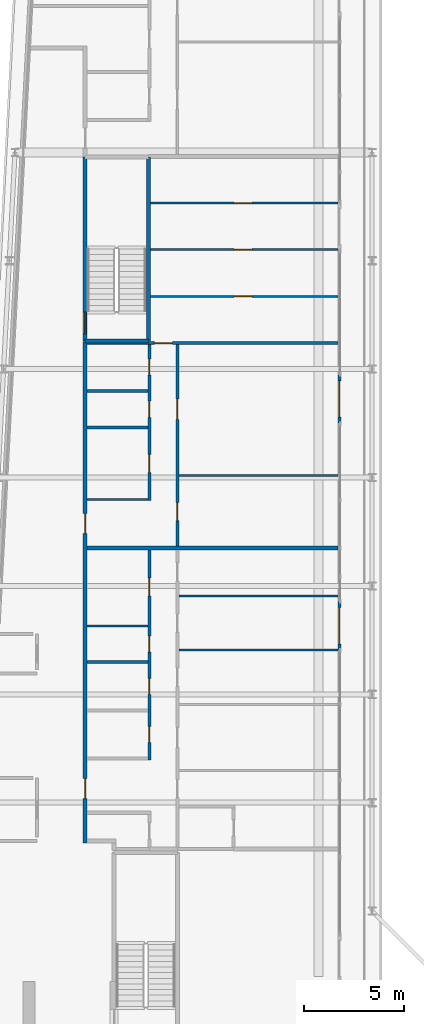
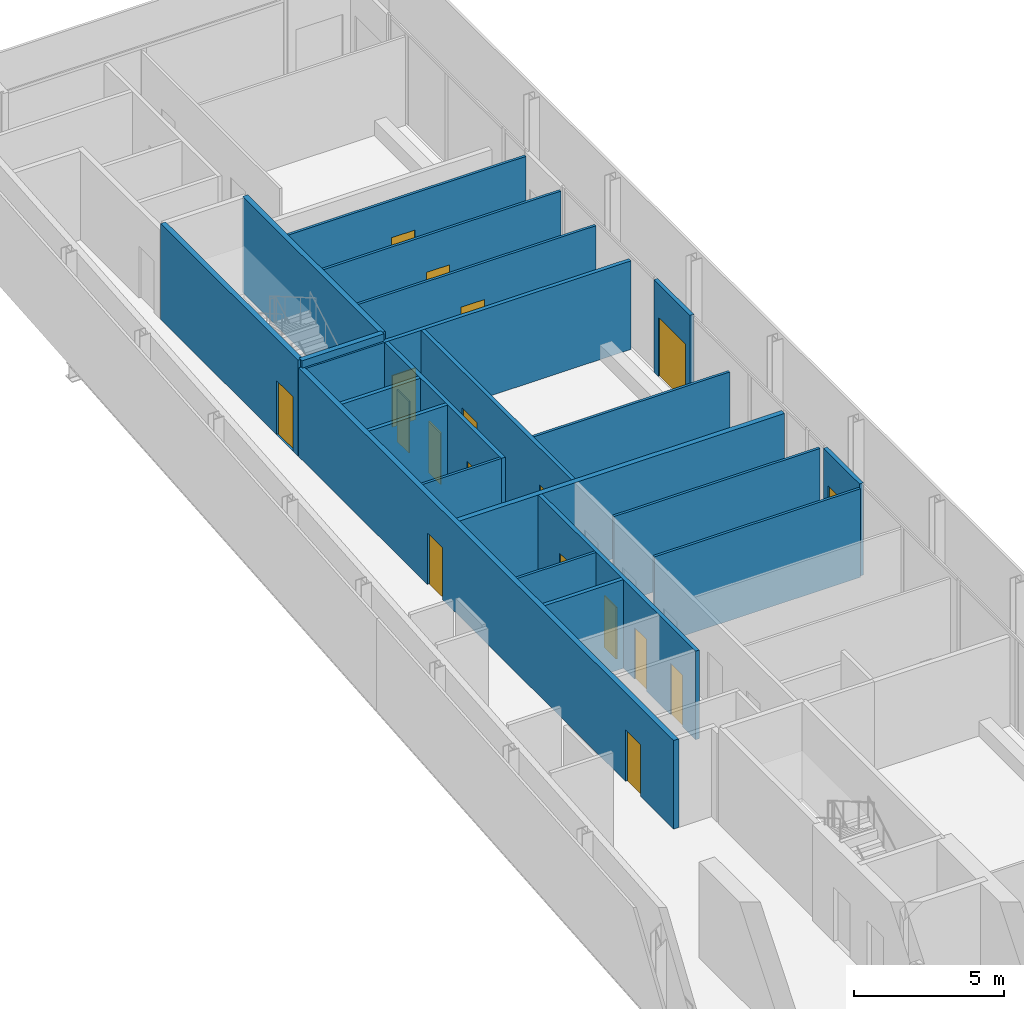
# One storey, part 14 of 21: 22 walls, 18 doors, 18 openings.
"""IFC4 building model written with IfcOpenShell, lengths in metres."""

from ifc_helpers import new_model, si_unit, direction, frame, frame_2d, origin, place, context, subcontext, project, spatial, rectangle, extrude, source, transform, mapped, material, layer, layer_set, type_object, element, fill, save


model = new_model("IFC4")

# Units and contexts
model_context = context("Model", 3, precision=1e-05, world=origin(), true_north=direction((0.0, 1.0)))
body_context = subcontext(model_context, "Body", "Model", "MODEL_VIEW")
ifc_project = project(units=[si_unit("LENGTHUNIT", "METRE"), si_unit("AREAUNIT", "SQUARE_METRE"), si_unit("VOLUMEUNIT", "CUBIC_METRE"), si_unit("PLANEANGLEUNIT", "RADIAN"), si_unit("MASSUNIT", "GRAM", prefix="KILO")], contexts=[model_context])

# Site, building, storey
site_placement = place(None, origin())
site = spatial("IfcSite", under=ifc_project, at=site_placement, CompositionType="ELEMENT")
building_placement = place(site_placement, origin())
building = spatial("IfcBuilding", under=site, at=building_placement, Name="Kheshtan School and Residences Tower", CompositionType="ELEMENT")
storey_placement = place(building_placement, frame((0.0, 0.0, 313.699951171875)))
storey = spatial("IfcBuildingStorey", under=building, at=storey_placement, Name="L74", CompositionType="ELEMENT", Elevation=313.699951171875)

# Wall, openings, doors
ifc_material_1 = material(Name="Gypsum board on steel studs with fire boards", Category="steel")
ifc_layer_1 = layer(ifc_material_1, 0.199951171875)
ifc_layer_set_1 = layer_set([ifc_layer_1], Name="Corridor wall 200")
wall_type_1 = type_object("IfcWallType", Name="Corridor wall 200", PredefinedType="PARTITIONING", material=ifc_layer_set_1)
wall_1_placement = place(storey_placement, frame((33.300048828125, 54.39990234375, 0.0), z_axis=(0.0, 0.0, 1.0), x_axis=(0.0, 1.0, 0.0)))
wall_1 = element("IfcWall", 1, at=wall_1_placement, inside=storey, type_object=wall_type_1, Name="Partition L74-003", PredefinedType="PARTITIONING", context=body_context, shape_type="SweptSolid", body=[
    extrude(rectangle(XDim=24.97509765625, YDim=0.199951171875, at=frame_2d((12.487548828125, 0.0))), origin(), (0.0, 0.0, 1.0), 3.60009765625),
])
opening_1_placement = place(wall_1_placement, frame((2.199951171875, 0.0, 0.0)))
opening_1 = element("IfcOpeningElement", 2, at=opening_1_placement, cuts=wall_1, Name="Opening D72-014", PredefinedType="OPENING", context=body_context, shape_type="SweptSolid", body=[
    extrude(rectangle(XDim=1.0, YDim=2.10009765625, at=frame_2d((0.5, 1.050048828125))), frame((0.0, 0.10986328125, 0.0), z_axis=(0.0, -1.0, 0.0), x_axis=(1.0, 0.0, 0.0)), (0.0, 0.0, 1.0), 0.219970703125),
])
opening_2_placement = place(wall_1_placement, frame((15.39990234375, 0.0, 0.0)))
opening_2 = element("IfcOpeningElement", 3, at=opening_2_placement, cuts=wall_1, Name="Opening D72-023", PredefinedType="OPENING", context=body_context, shape_type="SweptSolid", body=[
    extrude(rectangle(XDim=1.0, YDim=2.10009765625, at=frame_2d((0.5, 1.050048828125))), frame((0.0, 0.10986328125, 0.0), z_axis=(0.0, -1.0, 0.0), x_axis=(1.0, 0.0, 0.0)), (0.0, 0.0, 1.0), 0.219970703125),
])
ifc_material_2 = material(Name="Steel-framed fire-resisting door leaf", Category="steel")
door_type_1 = type_object("IfcDoorType", Name="Fire door FD30S 1000 x 2100", OperationType="SINGLE_SWING_LEFT", PredefinedType="DOOR", material=ifc_material_2)
shared_shape_1 = source(origin(), body_context, "Body", "SweptSolid", [
    extrude(rectangle(XDim=1.0, YDim=2.10009765625, at=frame_2d((0.5, 1.050048828125))), frame((0.0, 0.02490234375, 0.0), z_axis=(0.0, -1.0, 0.0), x_axis=(1.0, 0.0, 0.0)), (0.0, 0.0, 1.0), 0.050048828125),
])
door_1_placement = place(opening_1_placement, origin())
door_1 = element("IfcDoor", 4, at=door_1_placement, inside=storey, type_object=door_type_1, Name="Door D72-014", OperationType="SINGLE_SWING_RIGHT", OverallHeight=2.10009765625, OverallWidth=1.0, PredefinedType="DOOR", context=body_context, shape_type="MappedRepresentation", body=[
    mapped(shared_shape_1, transform((0.0, 0.0, 0.0), x_axis=(1.0, 0.0, 0.0), y_axis=(0.0, 1.0, 0.0), z_axis=(0.0, 0.0, 1.0), scale=1.0)),
])
fill(opening_1, door_1)
door_2_placement = place(opening_2_placement, origin())
door_2 = element("IfcDoor", 5, at=door_2_placement, inside=storey, type_object=door_type_1, Name="Door D72-023", OperationType="SINGLE_SWING_LEFT", OverallHeight=2.10009765625, OverallWidth=1.0, PredefinedType="DOOR", context=body_context, shape_type="MappedRepresentation", body=[
    mapped(shared_shape_1, transform((0.0, 0.0, 0.0), x_axis=(1.0, 0.0, 0.0), y_axis=(0.0, 1.0, 0.0), z_axis=(0.0, 0.0, 1.0), scale=1.0)),
])
fill(opening_2, door_2)

# Wall, opening, door
ifc_material_3 = material(Name="Aluminium frame wall with insulated infill", Category="aluminium")
ifc_layer_2 = layer(ifc_material_3, 0.14990234375)
ifc_layer_set_2 = layer_set([ifc_layer_2], Name="Glazing frame wall 150")
wall_type_2 = type_object("IfcWallType", Name="Glazing frame wall 150", PredefinedType="SOLIDWALL", material=ifc_layer_set_2)
wall_2_placement = place(storey_placement, frame((45.97509765625, 77.7119140625, 0.0), z_axis=(0.0, 0.0, 1.0), x_axis=(0.0, -1.0, 0.0)))
wall_2 = element("IfcWall", 6, at=wall_2_placement, inside=storey, type_object=wall_type_2, Name="Balcony door wall L74 8.3", PredefinedType="SOLIDWALL", context=body_context, shape_type="SweptSolid", body=[
    extrude(rectangle(XDim=2.39990234375, YDim=0.14990234375, at=frame_2d((1.199951171875, 0.0))), origin(), (0.0, 0.0, 1.0), 3.75),
])
opening_3_placement = place(wall_2_placement, frame((0.300048828125, 0.0, 0.0)))
opening_3 = element("IfcOpeningElement", 7, at=opening_3_placement, cuts=wall_2, Name="Opening BD", PredefinedType="OPENING", context=body_context, shape_type="SweptSolid", body=[
    extrude(rectangle(XDim=1.800048828125, YDim=2.39990234375, at=frame_2d((0.89990234375, 1.199951171875))), frame((0.0, 0.0849609375, 0.0), z_axis=(0.0, -1.0, 0.0), x_axis=(1.0, 0.0, 0.0)), (0.0, 0.0, 1.0), 0.169921875),
])
ifc_material_4 = material(Name="Clear low-e glass in thermally broken aluminium frame", Category="aluminium")
door_type_2 = type_object("IfcDoorType", Name="Balcony sliding door", OperationType="SLIDING_TO_LEFT", PredefinedType="DOOR", material=ifc_material_4)
shared_shape_2 = source(origin(), body_context, "Body", "SweptSolid", [
    extrude(rectangle(XDim=1.800048828125, YDim=2.39990234375, at=frame_2d((0.89990234375, 1.199951171875))), frame((0.0, 0.02490234375, 0.0), z_axis=(0.0, -1.0, 0.0), x_axis=(1.0, 0.0, 0.0)), (0.0, 0.0, 1.0), 0.050048828125),
])
door_3_placement = place(opening_3_placement, origin())
door_3 = element("IfcDoor", 8, at=door_3_placement, inside=storey, type_object=door_type_2, Name="Balcony door L74 8.3", OperationType="SLIDING_TO_LEFT", OverallHeight=2.39990234375, OverallWidth=1.800048828125, PredefinedType="DOOR", context=body_context, shape_type="MappedRepresentation", body=[
    mapped(shared_shape_2, transform((0.0, 0.0, 0.0), x_axis=(1.0, 0.0, 0.0), y_axis=(0.0, 1.0, 0.0), z_axis=(0.0, 0.0, 1.0), scale=1.0)),
])
fill(opening_3, door_3)

wall_3_placement = place(storey_placement, frame((45.97509765625, 66.41796875, 0.0), z_axis=(0.0, 0.0, 1.0), x_axis=(0.0, -1.0, 0.0)))
wall_3 = element("IfcWall", 9, at=wall_3_placement, inside=storey, type_object=wall_type_2, Name="Balcony door wall L74 8.4", PredefinedType="SOLIDWALL", context=body_context, shape_type="SweptSolid", body=[
    extrude(rectangle(XDim=2.39990234375, YDim=0.14990234375, at=frame_2d((1.199951171875, 0.0))), origin(), (0.0, 0.0, 1.0), 3.75),
])
opening_4_placement = place(wall_3_placement, frame((0.300048828125, 0.0, 0.0)))
opening_4 = element("IfcOpeningElement", 10, at=opening_4_placement, cuts=wall_3, Name="Opening BD", PredefinedType="OPENING", context=body_context, shape_type="SweptSolid", body=[
    extrude(rectangle(XDim=1.800048828125, YDim=2.39990234375, at=frame_2d((0.89990234375, 1.199951171875))), frame((0.0, 0.0849609375, 0.0), z_axis=(0.0, -1.0, 0.0), x_axis=(1.0, 0.0, 0.0)), (0.0, 0.0, 1.0), 0.169921875),
])
door_4_placement = place(opening_4_placement, origin())
door_4 = element("IfcDoor", 11, at=door_4_placement, inside=storey, type_object=door_type_2, Name="Balcony door L74 8.4", OperationType="SLIDING_TO_LEFT", OverallHeight=2.39990234375, OverallWidth=1.800048828125, PredefinedType="DOOR", context=body_context, shape_type="MappedRepresentation", body=[
    mapped(shared_shape_2, transform((0.0, 0.0, 0.0), x_axis=(1.0, 0.0, 0.0), y_axis=(0.0, 1.0, 0.0), z_axis=(0.0, 0.0, 1.0), scale=1.0)),
])
fill(opening_4, door_4)

# Walls
ifc_material_5 = material(Name="Gypsum board on steel studs", Category="steel")
ifc_layer_3 = layer(ifc_material_5, 0.10009765625)
ifc_layer_set_3 = layer_set([ifc_layer_3], Name="Gypsum partition 100")
wall_type_3 = type_object("IfcWallType", Name="Gypsum partition 100", PredefinedType="PARTITIONING", material=ifc_layer_set_3)
for number, where, z_axis, x_axis, name in (
    (12, (33.39990234375, 65.199951171875, 0.0), (0.0, 0.0, 1.0), (1.0, 0.0, 0.0), "Partition L74-010"),
    (13, (33.39990234375, 71.5, 0.0), (0.0, 0.0, 1.0), (1.0, 0.0, 0.0), "Partition L74-012"),
):
    element("IfcWall", number, at=place(storey_placement, frame(where, z_axis=z_axis, x_axis=x_axis)), inside=storey, type_object=wall_type_3, Name=name, PredefinedType="PARTITIONING", context=body_context, shape_type="SweptSolid", body=[
        extrude(rectangle(XDim=3.025146484375, YDim=0.10009765625, at=frame_2d((1.5126953125, 0.0))), origin(), (0.0, 0.0, 1.0), 3.60009765625),
    ])

# Wall, opening, door
wall_4_placement = place(storey_placement, frame((36.549072265625, 81.625, 0.0), z_axis=(0.0, 0.0, 1.0), x_axis=(1.0, 0.0, 0.0)))
wall_4 = element("IfcWall", 14, at=wall_4_placement, inside=storey, type_object=wall_type_3, Name="Partition L74-026", PredefinedType="PARTITIONING", context=body_context, shape_type="SweptSolid", body=[
    extrude(rectangle(XDim=9.350830078125, YDim=0.10009765625, at=frame_2d((4.67529296875, 0.0))), origin(), (0.0, 0.0, 1.0), 3.60009765625),
])
opening_5_placement = place(wall_4_placement, frame((4.176025390625, 0.0, 0.0)))
opening_5 = element("IfcOpeningElement", 15, at=opening_5_placement, cuts=wall_4, Name="Opening D72-028", PredefinedType="OPENING", context=body_context, shape_type="SweptSolid", body=[
    extrude(rectangle(XDim=0.89990234375, YDim=2.10009765625, at=frame_2d((0.449951171875, 1.050048828125))), frame((0.0, 0.06005859375, 0.0), z_axis=(0.0, -1.0, 0.0), x_axis=(1.0, 0.0, 0.0)), (0.0, 0.0, 1.0), 0.1201171875),
])
ifc_material_6 = material(Name="Veneered timber door leaf", Category="wood")
door_type_3 = type_object("IfcDoorType", Name="Door 900 x 2100", OperationType="SINGLE_SWING_LEFT", PredefinedType="DOOR", material=ifc_material_6)
shared_shape_3 = source(origin(), body_context, "Body", "SweptSolid", [
    extrude(rectangle(XDim=0.89990234375, YDim=2.10009765625, at=frame_2d((0.449951171875, 1.050048828125))), frame((0.0, 0.02490234375, 0.0), z_axis=(0.0, -1.0, 0.0), x_axis=(1.0, 0.0, 0.0)), (0.0, 0.0, 1.0), 0.050048828125),
])
door_5_placement = place(opening_5_placement, origin())
door_5 = element("IfcDoor", 16, at=door_5_placement, inside=storey, type_object=door_type_3, Name="Door D72-028", OperationType="SINGLE_SWING_RIGHT", OverallHeight=2.10009765625, OverallWidth=0.89990234375, PredefinedType="DOOR", context=body_context, shape_type="MappedRepresentation", body=[
    mapped(shared_shape_3, transform((0.0, 0.0, 0.0), x_axis=(1.0, 0.0, 0.0), y_axis=(0.0, 1.0, 0.0), z_axis=(0.0, 0.0, 1.0), scale=1.0)),
])
fill(opening_5, door_5)

wall_5_placement = place(storey_placement, frame((36.549072265625, 83.949951171875, 0.0), z_axis=(0.0, 0.0, 1.0), x_axis=(1.0, 0.0, 0.0)))
wall_5 = element("IfcWall", 17, at=wall_5_placement, inside=storey, type_object=wall_type_3, Name="Partition L74-027", PredefinedType="PARTITIONING", context=body_context, shape_type="SweptSolid", body=[
    extrude(rectangle(XDim=9.350830078125, YDim=0.10009765625, at=frame_2d((4.67529296875, 0.0))), origin(), (0.0, 0.0, 1.0), 3.60009765625),
])
opening_6_placement = place(wall_5_placement, frame((4.176025390625, 0.0, 0.0)))
opening_6 = element("IfcOpeningElement", 18, at=opening_6_placement, cuts=wall_5, Name="Opening D72-029", PredefinedType="OPENING", context=body_context, shape_type="SweptSolid", body=[
    extrude(rectangle(XDim=0.89990234375, YDim=2.10009765625, at=frame_2d((0.449951171875, 1.050048828125))), frame((0.0, 0.06005859375, 0.0), z_axis=(0.0, -1.0, 0.0), x_axis=(1.0, 0.0, 0.0)), (0.0, 0.0, 1.0), 0.1201171875),
])
door_6_placement = place(opening_6_placement, origin())
door_6 = element("IfcDoor", 19, at=door_6_placement, inside=storey, type_object=door_type_3, Name="Door D72-029", OperationType="SINGLE_SWING_RIGHT", OverallHeight=2.10009765625, OverallWidth=0.89990234375, PredefinedType="DOOR", context=body_context, shape_type="MappedRepresentation", body=[
    mapped(shared_shape_3, transform((0.0, 0.0, 0.0), x_axis=(1.0, 0.0, 0.0), y_axis=(0.0, 1.0, 0.0), z_axis=(0.0, 0.0, 1.0), scale=1.0)),
])
fill(opening_6, door_6)

wall_6_placement = place(storey_placement, frame((36.549072265625, 86.27490234375, 0.0), z_axis=(0.0, 0.0, 1.0), x_axis=(1.0, 0.0, 0.0)))
wall_6 = element("IfcWall", 20, at=wall_6_placement, inside=storey, type_object=wall_type_3, Name="Partition L74-028", PredefinedType="PARTITIONING", context=body_context, shape_type="SweptSolid", body=[
    extrude(rectangle(XDim=9.350830078125, YDim=0.10009765625, at=frame_2d((4.67529296875, 0.0))), origin(), (0.0, 0.0, 1.0), 3.60009765625),
])
opening_7_placement = place(wall_6_placement, frame((4.176025390625, 0.0, 0.0)))
opening_7 = element("IfcOpeningElement", 21, at=opening_7_placement, cuts=wall_6, Name="Opening D72-030", PredefinedType="OPENING", context=body_context, shape_type="SweptSolid", body=[
    extrude(rectangle(XDim=0.89990234375, YDim=2.10009765625, at=frame_2d((0.449951171875, 1.050048828125))), frame((0.0, 0.06005859375, 0.0), z_axis=(0.0, -1.0, 0.0), x_axis=(1.0, 0.0, 0.0)), (0.0, 0.0, 1.0), 0.1201171875),
])
door_7_placement = place(opening_7_placement, origin())
door_7 = element("IfcDoor", 22, at=door_7_placement, inside=storey, type_object=door_type_3, Name="Door D72-030", OperationType="SINGLE_SWING_RIGHT", OverallHeight=2.10009765625, OverallWidth=0.89990234375, PredefinedType="DOOR", context=body_context, shape_type="MappedRepresentation", body=[
    mapped(shared_shape_3, transform((0.0, 0.0, 0.0), x_axis=(1.0, 0.0, 0.0), y_axis=(0.0, 1.0, 0.0), z_axis=(0.0, 0.0, 1.0), scale=1.0)),
])
fill(opening_7, door_7)

# Walls
for number, where, z_axis, x_axis, name in (
    (23, (37.97509765625, 64.0, 0.0), (0.0, 0.0, 1.0), (1.0, 0.0, 0.0), "Partition L74-037"),
    (24, (37.97509765625, 66.699951171875, 0.0), (0.0, 0.0, 1.0), (1.0, 0.0, 0.0), "Partition L74-038"),
):
    element("IfcWall", number, at=place(storey_placement, frame(where, z_axis=z_axis, x_axis=x_axis)), inside=storey, type_object=wall_type_3, Name=name, PredefinedType="PARTITIONING", context=body_context, shape_type="SweptSolid", body=[
        extrude(rectangle(XDim=7.9248046875, YDim=0.10009765625, at=frame_2d((3.96240234375, 0.0))), origin(), (0.0, 0.0, 1.0), 3.60009765625),
    ])
wall_7_placement = place(storey_placement, frame((37.97509765625, 72.699951171875, 0.0), z_axis=(0.0, 0.0, 1.0), x_axis=(1.0, 0.0, 0.0)))
element("IfcWall", 25, at=wall_7_placement, inside=storey, type_object=wall_type_3, Name="Partition L74-039", PredefinedType="PARTITIONING", context=body_context, shape_type="SweptSolid", body=[
    extrude(rectangle(XDim=7.9248046875, YDim=0.10009765625, at=frame_2d((3.96240234375, 0.0))), origin(), (0.0, 0.0, 1.0), 3.072021484375),
])
ifc_material_7 = material(Name="Concrete C40/50", Category="concrete")
ifc_layer_4 = layer(ifc_material_7, 0.199951171875)
ifc_layer_set_4 = layer_set([ifc_layer_4], Name="Stair enclosure wall 200 Concrete C40/50")
wall_type_4 = type_object("IfcWallType", Name="Stair enclosure wall 200 Concrete C40/50", PredefinedType="SHEAR", material=ifc_layer_set_4)
wall_8_placement = place(storey_placement, frame((33.300048828125, 79.39990234375, 0.0), z_axis=(0.0, 0.0, 1.0), x_axis=(1.0, 0.0, 0.0)))
element("IfcWall", 26, at=wall_8_placement, inside=storey, type_object=wall_type_4, Name="Stair enclosure wall ST3", PredefinedType="SHEAR", context=body_context, shape_type="SweptSolid", body=[
    extrude(rectangle(XDim=3.14990234375, YDim=0.199951171875, at=frame_2d((1.574951171875, 0.0))), origin(), (0.0, 0.0, 1.0), 3.900146484375),
])

# Wall, opening, door
wall_9_placement = place(storey_placement, frame((33.300048828125, 79.39990234375, 0.0), z_axis=(0.0, 0.0, 1.0), x_axis=(0.0, 1.0, 0.0)))
wall_9 = element("IfcWall", 27, at=wall_9_placement, inside=storey, type_object=wall_type_4, Name="Stair enclosure wall ST3", PredefinedType="SHEAR", context=body_context, shape_type="SweptSolid", body=[
    extrude(rectangle(XDim=9.16015625, YDim=0.199951171875, at=frame_2d((4.580078125, 0.0))), origin(), (0.0, 0.0, 1.0), 3.900146484375),
])
opening_8_placement = place(wall_9_placement, frame((0.35009765625, 0.0, 0.0)))
opening_8 = element("IfcOpeningElement", 28, at=opening_8_placement, cuts=wall_9, Name="Opening ST3D", PredefinedType="OPENING", context=body_context, shape_type="SweptSolid", body=[
    extrude(rectangle(XDim=1.10009765625, YDim=2.199951171875, at=frame_2d((0.550048828125, 1.10009765625))), frame((0.0, 0.10986328125, 0.0), z_axis=(0.0, -1.0, 0.0), x_axis=(1.0, 0.0, 0.0)), (0.0, 0.0, 1.0), 0.219970703125),
])
ifc_material_8 = material(Name="Steel door leaf, galvanised", Category="steel")
door_type_4 = type_object("IfcDoorType", Name="Stair door 1100 steel 90 min", OperationType="SINGLE_SWING_LEFT", PredefinedType="DOOR", material=ifc_material_8)
shared_shape_4 = source(origin(), body_context, "Body", "SweptSolid", [
    extrude(rectangle(XDim=1.10009765625, YDim=2.199951171875, at=frame_2d((0.550048828125, 1.10009765625))), frame((0.0, 0.02490234375, 0.0), z_axis=(0.0, -1.0, 0.0), x_axis=(1.0, 0.0, 0.0)), (0.0, 0.0, 1.0), 0.050048828125),
])
door_8_placement = place(opening_8_placement, origin())
door_8 = element("IfcDoor", 29, at=door_8_placement, inside=storey, type_object=door_type_4, Name="Stair ST3 door", OperationType="SINGLE_SWING_RIGHT", OverallHeight=2.199951171875, OverallWidth=1.10009765625, PredefinedType="DOOR", context=body_context, shape_type="MappedRepresentation", body=[
    mapped(shared_shape_4, transform((0.0, 0.0, 0.0), x_axis=(1.0, 0.0, 0.0), y_axis=(0.0, 1.0, 0.0), z_axis=(0.0, 0.0, 1.0), scale=1.0)),
])
fill(opening_8, door_8)

# Walls
wall_10_placement = place(storey_placement, frame((36.449951171875, 79.39990234375, 0.0), z_axis=(0.0, 0.0, 1.0), x_axis=(0.0, 1.0, 0.0)))
element("IfcWall", 30, at=wall_10_placement, inside=storey, type_object=wall_type_4, Name="Stair enclosure wall ST3", PredefinedType="SHEAR", context=body_context, shape_type="SweptSolid", body=[
    extrude(rectangle(XDim=9.16015625, YDim=0.199951171875, at=frame_2d((4.580078125, 0.0))), origin(), (0.0, 0.0, 1.0), 3.900146484375),
])
ifc_material_9 = material(Name="Twin gypsum board on steel studs with mineral wool", Category="steel")
ifc_layer_5 = layer(ifc_material_9, 0.199951171875)
ifc_layer_set_5 = layer_set([ifc_layer_5], Name="Unit demising wall 200")
wall_type_5 = type_object("IfcWallType", Name="Unit demising wall 200", PredefinedType="PARTITIONING", material=ifc_layer_set_5)
wall_11_placement = place(storey_placement, frame((33.39990234375, 69.10009765625, 0.0), z_axis=(0.0, 0.0, 1.0), x_axis=(1.0, 0.0, 0.0)))
element("IfcWall", 31, at=wall_11_placement, inside=storey, type_object=wall_type_5, Name="Partition L74-011", PredefinedType="PARTITIONING", context=body_context, shape_type="SweptSolid", body=[
    extrude(rectangle(XDim=12.5, YDim=0.199951171875, at=frame_2d((6.25, 0.0))), origin(), (0.0, 0.0, 1.0), 3.60009765625),
])
ifc_material_10 = material(Name="Moisture-resistant gypsum board on steel studs", Category="steel")
ifc_layer_6 = layer(ifc_material_10, 0.14990234375)
ifc_layer_set_6 = layer_set([ifc_layer_6], Name="Wet-room partition 150")
wall_type_6 = type_object("IfcWallType", Name="Wet-room partition 150", PredefinedType="PARTITIONING", material=ifc_layer_set_6)
for number, where, z_axis, x_axis, name in (
    (32, (33.39990234375, 63.39990234375, 0.0), (0.0, 0.0, 1.0), (1.0, 0.0, 0.0), "Partition L74-009"),
    (33, (33.39990234375, 75.10009765625, 0.0), (0.0, 0.0, 1.0), (1.0, 0.0, 0.0), "Partition L74-013"),
    (34, (33.39990234375, 76.89990234375, 0.0), (0.0, 0.0, 1.0), (1.0, 0.0, 0.0), "Partition L74-014"),
):
    element("IfcWall", number, at=place(storey_placement, frame(where, z_axis=z_axis, x_axis=x_axis)), inside=storey, type_object=wall_type_6, Name=name, PredefinedType="PARTITIONING", context=body_context, shape_type="SweptSolid", body=[
        extrude(rectangle(XDim=3.025146484375, YDim=0.14990234375, at=frame_2d((1.5126953125, 0.0))), origin(), (0.0, 0.0, 1.0), 3.60009765625),
    ])

# Wall, opening, door
wall_12_placement = place(storey_placement, frame((33.39990234375, 79.300048828125, 0.0), z_axis=(0.0, 0.0, 1.0), x_axis=(1.0, 0.0, 0.0)))
wall_12 = element("IfcWall", 35, at=wall_12_placement, inside=storey, type_object=wall_type_6, Name="Partition L74-015", PredefinedType="PARTITIONING", context=body_context, shape_type="SweptSolid", body=[
    extrude(rectangle(XDim=12.5, YDim=0.14990234375, at=frame_2d((6.25, 0.0))), origin(), (0.0, 0.0, 1.0), 3.60009765625),
])
opening_9_placement = place(wall_12_placement, frame((3.35498046875, 0.0, 0.0)))
opening_9 = element("IfcOpeningElement", 36, at=opening_9_placement, cuts=wall_12, Name="Opening D72-027", PredefinedType="OPENING", context=body_context, shape_type="SweptSolid", body=[
    extrude(rectangle(XDim=0.89990234375, YDim=2.10009765625, at=frame_2d((0.449951171875, 1.050048828125))), frame((0.0, 0.0849609375, 0.0), z_axis=(0.0, -1.0, 0.0), x_axis=(1.0, 0.0, 0.0)), (0.0, 0.0, 1.0), 0.169921875),
])
door_9_placement = place(opening_9_placement, origin())
door_9 = element("IfcDoor", 37, at=door_9_placement, inside=storey, type_object=door_type_3, Name="Door D72-027", OperationType="SINGLE_SWING_LEFT", OverallHeight=2.10009765625, OverallWidth=0.89990234375, PredefinedType="DOOR", context=body_context, shape_type="MappedRepresentation", body=[
    mapped(shared_shape_3, transform((0.0, 0.0, 0.0), x_axis=(1.0, 0.0, 0.0), y_axis=(0.0, 1.0, 0.0), z_axis=(0.0, 0.0, 1.0), scale=1.0)),
])
fill(opening_9, door_9)

# Wall, openings, doors
wall_13_placement = place(storey_placement, frame((36.5, 58.52490234375, 0.0), z_axis=(0.0, 0.0, 1.0), x_axis=(0.0, 1.0, 0.0)))
wall_13 = element("IfcWall", 38, at=wall_13_placement, inside=storey, type_object=wall_type_6, Name="Partition L74-022", PredefinedType="PARTITIONING", context=body_context, shape_type="SweptSolid", body=[
    extrude(rectangle(XDim=10.47509765625, YDim=0.14990234375, at=frame_2d((5.237548828125, 0.0))), origin(), (0.0, 0.0, 1.0), 3.60009765625),
])
opening_10_placement = place(wall_13_placement, frame((0.875, 0.0, 0.0)))
opening_10 = element("IfcOpeningElement", 39, at=opening_10_placement, cuts=wall_13, Name="Opening D72-009", PredefinedType="OPENING", context=body_context, shape_type="SweptSolid", body=[
    extrude(rectangle(XDim=0.800048828125, YDim=2.10009765625, at=frame_2d((0.39990234375, 1.050048828125))), frame((0.0, 0.0849609375, 0.0), z_axis=(0.0, -1.0, 0.0), x_axis=(1.0, 0.0, 0.0)), (0.0, 0.0, 1.0), 0.169921875),
])
opening_11_placement = place(wall_13_placement, frame((3.27490234375, 0.0, 0.0)))
opening_11 = element("IfcOpeningElement", 40, at=opening_11_placement, cuts=wall_13, Name="Opening D72-010", PredefinedType="OPENING", context=body_context, shape_type="SweptSolid", body=[
    extrude(rectangle(XDim=0.800048828125, YDim=2.10009765625, at=frame_2d((0.39990234375, 1.050048828125))), frame((0.0, 0.0849609375, 0.0), z_axis=(0.0, -1.0, 0.0), x_axis=(1.0, 0.0, 0.0)), (0.0, 0.0, 1.0), 0.169921875),
])
opening_12_placement = place(wall_13_placement, frame((8.175048828125, 0.0, 0.0)))
opening_12 = element("IfcOpeningElement", 41, at=opening_12_placement, cuts=wall_13, Name="Opening D72-015", PredefinedType="OPENING", context=body_context, shape_type="SweptSolid", body=[
    extrude(rectangle(XDim=0.89990234375, YDim=2.10009765625, at=frame_2d((0.449951171875, 1.050048828125))), frame((0.0, 0.0849609375, 0.0), z_axis=(0.0, -1.0, 0.0), x_axis=(1.0, 0.0, 0.0)), (0.0, 0.0, 1.0), 0.169921875),
])
opening_13_placement = place(wall_13_placement, frame((5.375, 0.0, 0.0)))
opening_13 = element("IfcOpeningElement", 42, at=opening_13_placement, cuts=wall_13, Name="Opening D72-019", PredefinedType="OPENING", context=body_context, shape_type="SweptSolid", body=[
    extrude(rectangle(XDim=0.800048828125, YDim=2.10009765625, at=frame_2d((0.39990234375, 1.050048828125))), frame((0.0, 0.0849609375, 0.0), z_axis=(0.0, -1.0, 0.0), x_axis=(1.0, 0.0, 0.0)), (0.0, 0.0, 1.0), 0.169921875),
])
door_type_5 = type_object("IfcDoorType", Name="Door 800 x 2100", OperationType="SINGLE_SWING_LEFT", PredefinedType="DOOR", material=ifc_material_6)
shared_shape_5 = source(origin(), body_context, "Body", "SweptSolid", [
    extrude(rectangle(XDim=0.800048828125, YDim=2.10009765625, at=frame_2d((0.39990234375, 1.050048828125))), frame((0.0, 0.02490234375, 0.0), z_axis=(0.0, -1.0, 0.0), x_axis=(1.0, 0.0, 0.0)), (0.0, 0.0, 1.0), 0.050048828125),
])
door_10_placement = place(opening_10_placement, origin())
door_10 = element("IfcDoor", 43, at=door_10_placement, inside=storey, type_object=door_type_5, Name="Door D72-009", OperationType="SINGLE_SWING_LEFT", OverallHeight=2.10009765625, OverallWidth=0.800048828125, PredefinedType="DOOR", context=body_context, shape_type="MappedRepresentation", body=[
    mapped(shared_shape_5, transform((0.0, 0.0, 0.0), x_axis=(1.0, 0.0, 0.0), y_axis=(0.0, 1.0, 0.0), z_axis=(0.0, 0.0, 1.0), scale=1.0)),
])
fill(opening_10, door_10)
door_11_placement = place(opening_11_placement, origin())
door_11 = element("IfcDoor", 44, at=door_11_placement, inside=storey, type_object=door_type_5, Name="Door D72-010", OperationType="SINGLE_SWING_LEFT", OverallHeight=2.10009765625, OverallWidth=0.800048828125, PredefinedType="DOOR", context=body_context, shape_type="MappedRepresentation", body=[
    mapped(shared_shape_5, transform((0.0, 0.0, 0.0), x_axis=(1.0, 0.0, 0.0), y_axis=(0.0, 1.0, 0.0), z_axis=(0.0, 0.0, 1.0), scale=1.0)),
])
fill(opening_11, door_11)
door_12_placement = place(opening_13_placement, origin())
door_12 = element("IfcDoor", 45, at=door_12_placement, inside=storey, type_object=door_type_5, Name="Door D72-019", OperationType="SINGLE_SWING_RIGHT", OverallHeight=2.10009765625, OverallWidth=0.800048828125, PredefinedType="DOOR", context=body_context, shape_type="MappedRepresentation", body=[
    mapped(shared_shape_5, transform((0.0, 0.0, 0.0), x_axis=(1.0, 0.0, 0.0), y_axis=(0.0, 1.0, 0.0), z_axis=(0.0, 0.0, 1.0), scale=1.0)),
])
fill(opening_13, door_12)
door_13_placement = place(opening_12_placement, origin())
door_13 = element("IfcDoor", 46, at=door_13_placement, inside=storey, type_object=door_type_3, Name="Door D72-015", OperationType="SINGLE_SWING_RIGHT", OverallHeight=2.10009765625, OverallWidth=0.89990234375, PredefinedType="DOOR", context=body_context, shape_type="MappedRepresentation", body=[
    mapped(shared_shape_3, transform((0.0, 0.0, 0.0), x_axis=(1.0, 0.0, 0.0), y_axis=(0.0, 1.0, 0.0), z_axis=(0.0, 0.0, 1.0), scale=1.0)),
])
fill(opening_12, door_13)

wall_14_placement = place(storey_placement, frame((36.5, 71.449951171875, 0.0), z_axis=(0.0, 0.0, 1.0), x_axis=(0.0, 1.0, 0.0)))
wall_14 = element("IfcWall", 47, at=wall_14_placement, inside=storey, type_object=wall_type_6, Name="Partition L74-023", PredefinedType="PARTITIONING", context=body_context, shape_type="SweptSolid", body=[
    extrude(rectangle(XDim=7.775146484375, YDim=0.14990234375, at=frame_2d((3.8876953125, 0.0))), origin(), (0.0, 0.0, 1.0), 3.60009765625),
])
opening_14_placement = place(wall_14_placement, frame((6.25, 0.0, 0.0)))
opening_14 = element("IfcOpeningElement", 48, at=opening_14_placement, cuts=wall_14, Name="Opening D72-021", PredefinedType="OPENING", context=body_context, shape_type="SweptSolid", body=[
    extrude(rectangle(XDim=0.800048828125, YDim=2.10009765625, at=frame_2d((0.39990234375, 1.050048828125))), frame((0.0, 0.0849609375, 0.0), z_axis=(0.0, -1.0, 0.0), x_axis=(1.0, 0.0, 0.0)), (0.0, 0.0, 1.0), 0.169921875),
])
opening_15_placement = place(wall_14_placement, frame((1.39990234375, 0.0, 0.0)))
opening_15 = element("IfcOpeningElement", 49, at=opening_15_placement, cuts=wall_14, Name="Opening D72-024", PredefinedType="OPENING", context=body_context, shape_type="SweptSolid", body=[
    extrude(rectangle(XDim=0.89990234375, YDim=2.10009765625, at=frame_2d((0.449951171875, 1.050048828125))), frame((0.0, 0.0849609375, 0.0), z_axis=(0.0, -1.0, 0.0), x_axis=(1.0, 0.0, 0.0)), (0.0, 0.0, 1.0), 0.169921875),
])
opening_16_placement = place(wall_14_placement, frame((4.14990234375, 0.0, 0.0)))
opening_16 = element("IfcOpeningElement", 50, at=opening_16_placement, cuts=wall_14, Name="Opening D72-026", PredefinedType="OPENING", context=body_context, shape_type="SweptSolid", body=[
    extrude(rectangle(XDim=0.800048828125, YDim=2.10009765625, at=frame_2d((0.39990234375, 1.050048828125))), frame((0.0, 0.0849609375, 0.0), z_axis=(0.0, -1.0, 0.0), x_axis=(1.0, 0.0, 0.0)), (0.0, 0.0, 1.0), 0.169921875),
])
door_14_placement = place(opening_14_placement, origin())
door_14 = element("IfcDoor", 51, at=door_14_placement, inside=storey, type_object=door_type_5, Name="Door D72-021", OperationType="SINGLE_SWING_RIGHT", OverallHeight=2.10009765625, OverallWidth=0.800048828125, PredefinedType="DOOR", context=body_context, shape_type="MappedRepresentation", body=[
    mapped(shared_shape_5, transform((0.0, 0.0, 0.0), x_axis=(1.0, 0.0, 0.0), y_axis=(0.0, 1.0, 0.0), z_axis=(0.0, 0.0, 1.0), scale=1.0)),
])
fill(opening_14, door_14)
door_15_placement = place(opening_16_placement, origin())
door_15 = element("IfcDoor", 52, at=door_15_placement, inside=storey, type_object=door_type_5, Name="Door D72-026", OperationType="SINGLE_SWING_RIGHT", OverallHeight=2.10009765625, OverallWidth=0.800048828125, PredefinedType="DOOR", context=body_context, shape_type="MappedRepresentation", body=[
    mapped(shared_shape_5, transform((0.0, 0.0, 0.0), x_axis=(1.0, 0.0, 0.0), y_axis=(0.0, 1.0, 0.0), z_axis=(0.0, 0.0, 1.0), scale=1.0)),
])
fill(opening_16, door_15)
door_16_placement = place(opening_15_placement, origin())
door_16 = element("IfcDoor", 53, at=door_16_placement, inside=storey, type_object=door_type_3, Name="Door D72-024", OperationType="SINGLE_SWING_RIGHT", OverallHeight=2.10009765625, OverallWidth=0.89990234375, PredefinedType="DOOR", context=body_context, shape_type="MappedRepresentation", body=[
    mapped(shared_shape_3, transform((0.0, 0.0, 0.0), x_axis=(1.0, 0.0, 0.0), y_axis=(0.0, 1.0, 0.0), z_axis=(0.0, 0.0, 1.0), scale=1.0)),
])
fill(opening_15, door_16)

wall_15_placement = place(storey_placement, frame((37.89990234375, 69.199951171875, 0.0), z_axis=(0.0, 0.0, 1.0), x_axis=(0.0, 1.0, 0.0)))
wall_15 = element("IfcWall", 54, at=wall_15_placement, inside=storey, type_object=wall_type_6, Name="Partition L74-031", PredefinedType="PARTITIONING", context=body_context, shape_type="SweptSolid", body=[
    extrude(rectangle(XDim=10.025146484375, YDim=0.14990234375, at=frame_2d((5.0126953125, 0.0))), origin(), (0.0, 0.0, 1.0), 3.60009765625),
])
opening_17_placement = place(wall_15_placement, frame((1.25, 0.0, 0.0)))
opening_17 = element("IfcOpeningElement", 55, at=opening_17_placement, cuts=wall_15, Name="Opening D72-022", PredefinedType="OPENING", context=body_context, shape_type="SweptSolid", body=[
    extrude(rectangle(XDim=0.89990234375, YDim=2.10009765625, at=frame_2d((0.449951171875, 1.050048828125))), frame((0.0, 0.0849609375, 0.0), z_axis=(0.0, -1.0, 0.0), x_axis=(1.0, 0.0, 0.0)), (0.0, 0.0, 1.0), 0.169921875),
])
opening_18_placement = place(wall_15_placement, frame((6.300048828125, 0.0, 0.0)))
opening_18 = element("IfcOpeningElement", 56, at=opening_18_placement, cuts=wall_15, Name="Opening D72-025", PredefinedType="OPENING", context=body_context, shape_type="SweptSolid", body=[
    extrude(rectangle(XDim=1.0, YDim=2.10009765625, at=frame_2d((0.5, 1.050048828125))), frame((0.0, 0.0849609375, 0.0), z_axis=(0.0, -1.0, 0.0), x_axis=(1.0, 0.0, 0.0)), (0.0, 0.0, 1.0), 0.169921875),
])
door_type_6 = type_object("IfcDoorType", Name="Door 1000 x 2100", OperationType="SINGLE_SWING_LEFT", PredefinedType="DOOR", material=ifc_material_6)
shared_shape_6 = source(origin(), body_context, "Body", "SweptSolid", [
    extrude(rectangle(XDim=1.0, YDim=2.10009765625, at=frame_2d((0.5, 1.050048828125))), frame((0.0, 0.02490234375, 0.0), z_axis=(0.0, -1.0, 0.0), x_axis=(1.0, 0.0, 0.0)), (0.0, 0.0, 1.0), 0.050048828125),
])
door_17_placement = place(opening_18_placement, origin())
door_17 = element("IfcDoor", 57, at=door_17_placement, inside=storey, type_object=door_type_6, Name="Door D72-025", OperationType="SINGLE_SWING_LEFT", OverallHeight=2.10009765625, OverallWidth=1.0, PredefinedType="DOOR", context=body_context, shape_type="MappedRepresentation", body=[
    mapped(shared_shape_6, transform((0.0, 0.0, 0.0), x_axis=(1.0, 0.0, 0.0), y_axis=(0.0, 1.0, 0.0), z_axis=(0.0, 0.0, 1.0), scale=1.0)),
])
fill(opening_18, door_17)
door_18_placement = place(opening_17_placement, origin())
door_18 = element("IfcDoor", 58, at=door_18_placement, inside=storey, type_object=door_type_3, Name="Door D72-022", OperationType="SINGLE_SWING_LEFT", OverallHeight=2.10009765625, OverallWidth=0.89990234375, PredefinedType="DOOR", context=body_context, shape_type="MappedRepresentation", body=[
    mapped(shared_shape_3, transform((0.0, 0.0, 0.0), x_axis=(1.0, 0.0, 0.0), y_axis=(0.0, 1.0, 0.0), z_axis=(0.0, 0.0, 1.0), scale=1.0)),
])
fill(opening_17, door_18)

save(model, "model.ifc")
